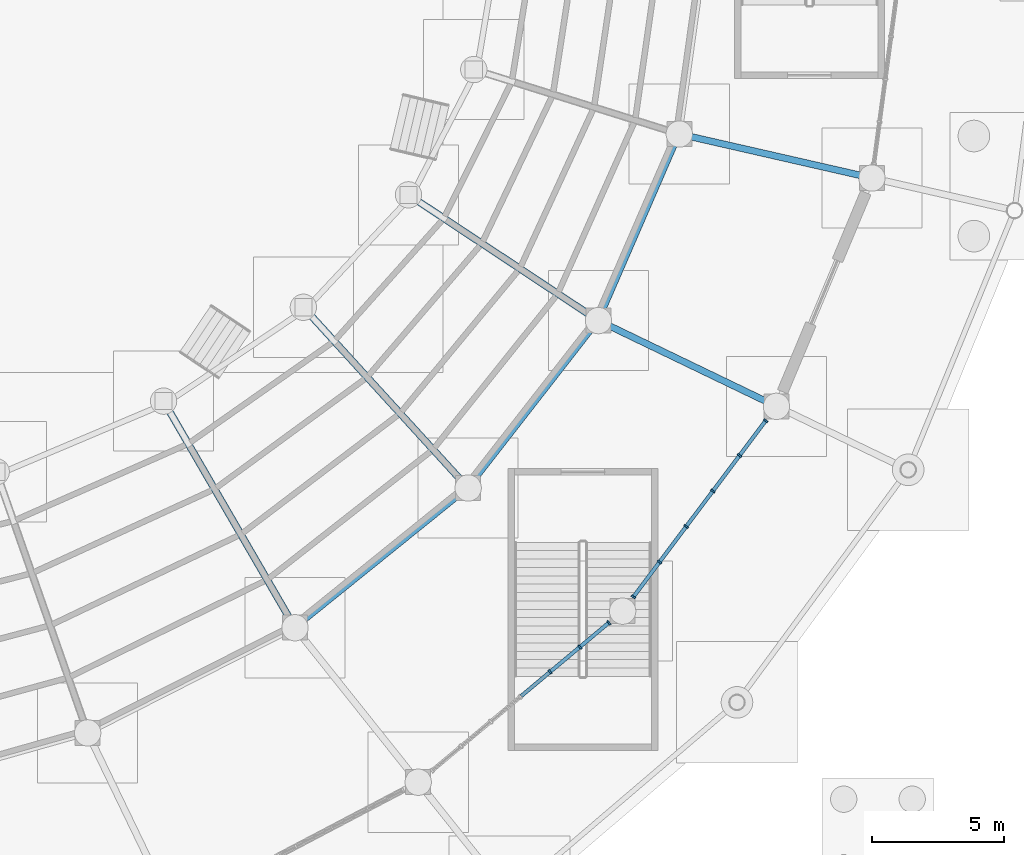
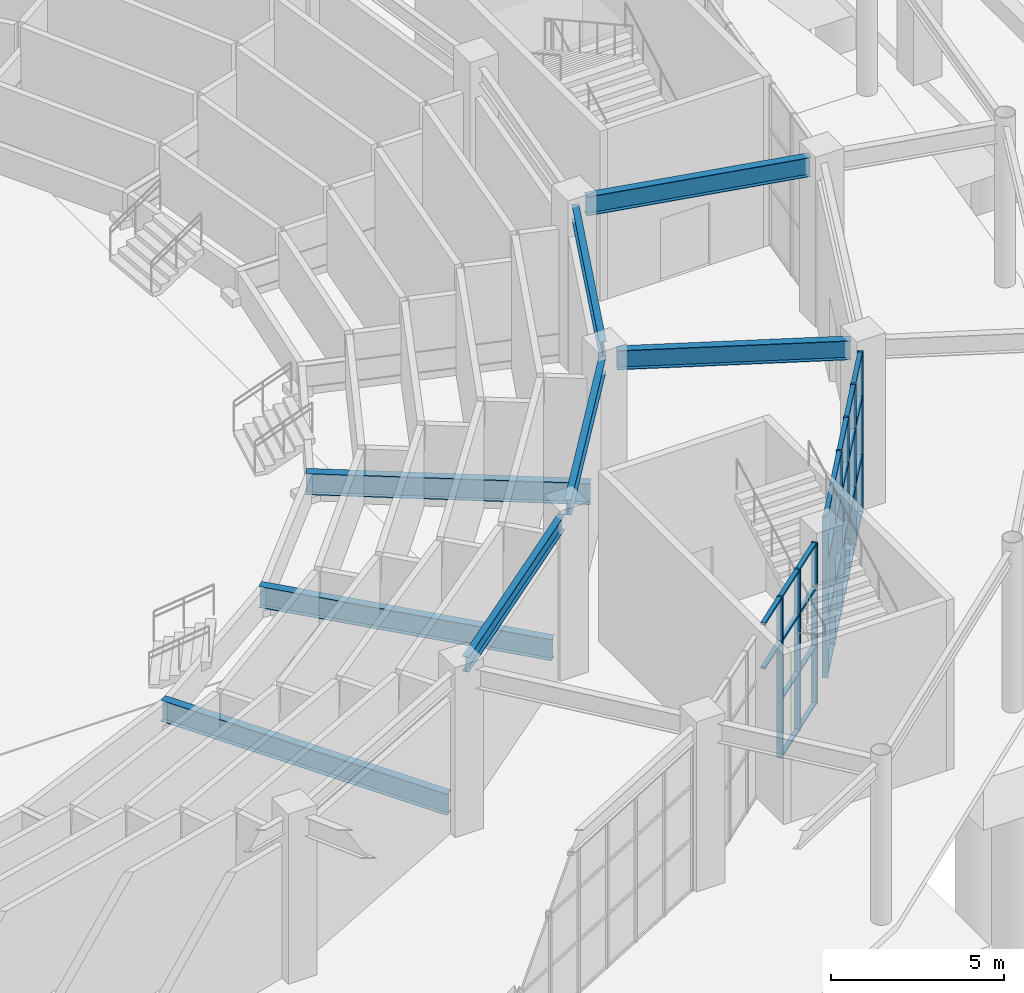
# One storey, part 36 of 121: 39 members, 8 beams, 2 elements without a shape of their own.
"""IFC4 building model written with IfcOpenShell, lengths in metres."""

from ifc_helpers import new_model, si_unit, direction, frame, origin, origin_2d, place, context, subcontext, project, spatial, rectangle, i_section, extrude, material, material_profile, profile_set, type_object, element, aggregate, save


model = new_model("IFC4")

# Units and contexts
model_context = context("Model", 3, precision=1e-05, world=origin(), true_north=direction((0.0, 1.0)))
body_context = subcontext(model_context, "Body", "Model", "MODEL_VIEW")
ifc_project = project(units=[si_unit("LENGTHUNIT", "METRE"), si_unit("AREAUNIT", "SQUARE_METRE"), si_unit("VOLUMEUNIT", "CUBIC_METRE"), si_unit("PLANEANGLEUNIT", "RADIAN"), si_unit("MASSUNIT", "GRAM", prefix="KILO")], contexts=[model_context])

# Site, building, storey
site_placement = place(None, origin())
site = spatial("IfcSite", under=ifc_project, at=site_placement, CompositionType="ELEMENT")
building_placement = place(site_placement, origin())
building = spatial("IfcBuilding", under=site, at=building_placement, Name="Cuetzalor Civic Arena", CompositionType="ELEMENT")
storey_placement = place(building_placement, origin())
storey = spatial("IfcBuildingStorey", under=building, at=storey_placement, Name="L00", CompositionType="ELEMENT", Elevation=0.0)

# Curtain wall, members
ifc_material_1 = material(Name="Anodised dark bronze aluminium and low-E solar glass", Category="aluminium")
curtain_wall_type_1 = type_object("IfcCurtainWallType", Name="UnitisedCW_8800x5700", PredefinedType="USERDEFINED", material=ifc_material_1)
curtain_wall_1_placement = place(storey_placement, origin())
curtain_wall_1 = element("IfcCurtainWall", 1, at=curtain_wall_1_placement, inside=storey, type_object=curtain_wall_type_1, Name="Drum Ground Recessed Concourse Curtain Wall L00-018", ObjectType="UNITISED CURTAIN WALL", PredefinedType="USERDEFINED")
ifc_material_2 = material(Name="Anodised dark bronze aluminium", Category="aluminium")
ifc_material_profile_1 = material_profile(ifc_material_2, rectangle(XDim=0.070068359375, YDim=0.179931640625, at=origin_2d()), Name="ALU MULLION 70x180")
ifc_profile_set_1 = profile_set([ifc_material_profile_1], Name="Anodised dark bronze aluminium")
member_type_1 = type_object("IfcMemberType", Name="CurtainWallMullion_65x180", PredefinedType="MULLION", material=ifc_profile_set_1)
member_1_placement = place(storey_placement, frame((37.783447265625, -26.00341796875, 0.0), z_axis=(0.0, 0.0, 1.0), x_axis=(-0.766928030459, -0.641733119059, 0.0)))
member_1 = element("IfcMember", 2, at=member_1_placement, type_object=member_type_1, Name="CW-03 mullion 1", PredefinedType="MULLION", context=body_context, shape_type="SweptSolid", body=[
    extrude(rectangle(XDim=0.070068359375, YDim=0.179931640625, at=origin_2d()), origin(), (0.0, 0.0, 1.0), 5.699951171875),
])
member_2_placement = place(storey_placement, frame((36.68359375, -26.923583984375, 0.0), z_axis=(0.0, 0.0, 1.0), x_axis=(-0.766928030459, -0.641733119059, 0.0)))
member_2 = element("IfcMember", 3, at=member_2_placement, type_object=member_type_1, Name="CW-03 mullion 2", PredefinedType="MULLION", context=body_context, shape_type="SweptSolid", body=[
    extrude(rectangle(XDim=0.070068359375, YDim=0.179931640625, at=origin_2d()), origin(), (0.0, 0.0, 1.0), 5.699951171875),
])
member_3_placement = place(storey_placement, frame((35.556884765625, -27.866455078125, 0.0), z_axis=(0.0, 0.0, 1.0), x_axis=(-0.766928030459, -0.641733119059, 0.0)))
member_3 = element("IfcMember", 4, at=member_3_placement, type_object=member_type_1, Name="CW-03 mullion 3", PredefinedType="MULLION", context=body_context, shape_type="SweptSolid", body=[
    extrude(rectangle(XDim=0.070068359375, YDim=0.179931640625, at=origin_2d()), origin(), (0.0, 0.0, 1.0), 5.699951171875),
])

ifc_material_3 = material(Name="Anodised dark bronze aluminium and low-E solar glass", Category="aluminium")
curtain_wall_type_2 = type_object("IfcCurtainWallType", Name="UnitisedCW_8450x5700", PredefinedType="USERDEFINED", material=ifc_material_3)
curtain_wall_2_placement = place(storey_placement, origin())
curtain_wall_2 = element("IfcCurtainWall", 5, at=curtain_wall_2_placement, inside=storey, type_object=curtain_wall_type_2, Name="Drum Ground Recessed Concourse Curtain Wall L00-019", ObjectType="UNITISED CURTAIN WALL", PredefinedType="USERDEFINED")
member_4_placement = place(storey_placement, frame((43.738037109375, -18.33447265625, 0.0), z_axis=(0.0, 0.0, 1.0), x_axis=(-0.600491594925, -0.799631067696, 0.0)))
member_4 = element("IfcMember", 6, at=member_4_placement, type_object=member_type_1, Name="CW-02 mullion 1", PredefinedType="MULLION", context=body_context, shape_type="SweptSolid", body=[
    extrude(rectangle(XDim=0.070068359375, YDim=0.179931640625, at=origin_2d()), origin(), (0.0, 0.0, 1.0), 5.699951171875),
])
member_5_placement = place(storey_placement, frame((42.746826171875, -19.654541015625, 0.0), z_axis=(0.0, 0.0, 1.0), x_axis=(-0.600491594925, -0.799631067696, 0.0)))
member_5 = element("IfcMember", 7, at=member_5_placement, type_object=member_type_1, Name="CW-02 mullion 2", PredefinedType="MULLION", context=body_context, shape_type="SweptSolid", body=[
    extrude(rectangle(XDim=0.070068359375, YDim=0.179931640625, at=origin_2d()), origin(), (0.0, 0.0, 1.0), 5.699951171875),
])
member_6_placement = place(storey_placement, frame((41.734619140625, -21.002197265625, 0.0), z_axis=(0.0, 0.0, 1.0), x_axis=(-0.600491594925, -0.799631067696, 0.0)))
member_6 = element("IfcMember", 8, at=member_6_placement, type_object=member_type_1, Name="CW-02 mullion 3", PredefinedType="MULLION", context=body_context, shape_type="SweptSolid", body=[
    extrude(rectangle(XDim=0.070068359375, YDim=0.179931640625, at=origin_2d()), origin(), (0.0, 0.0, 1.0), 5.699951171875),
])
member_7_placement = place(storey_placement, frame((40.722412109375, -22.35009765625, 0.0), z_axis=(0.0, 0.0, 1.0), x_axis=(-0.600491594925, -0.799631067696, 0.0)))
member_7 = element("IfcMember", 9, at=member_7_placement, type_object=member_type_1, Name="CW-02 mullion 4", PredefinedType="MULLION", context=body_context, shape_type="SweptSolid", body=[
    extrude(rectangle(XDim=0.070068359375, YDim=0.179931640625, at=origin_2d()), origin(), (0.0, 0.0, 1.0), 5.699951171875),
])
member_8_placement = place(storey_placement, frame((39.71044921875, -23.697998046875, 0.0), z_axis=(0.0, 0.0, 1.0), x_axis=(-0.600491594925, -0.799631067696, 0.0)))
member_8 = element("IfcMember", 10, at=member_8_placement, type_object=member_type_1, Name="CW-02 mullion 5", PredefinedType="MULLION", context=body_context, shape_type="SweptSolid", body=[
    extrude(rectangle(XDim=0.070068359375, YDim=0.179931640625, at=origin_2d()), origin(), (0.0, 0.0, 1.0), 5.699951171875),
])
member_9_placement = place(storey_placement, frame((38.71923828125, -25.017822265625, 0.0), z_axis=(0.0, 0.0, 1.0), x_axis=(-0.600491594925, -0.799631067696, 0.0)))
member_9 = element("IfcMember", 11, at=member_9_placement, type_object=member_type_1, Name="CW-02 mullion 6", PredefinedType="MULLION", context=body_context, shape_type="SweptSolid", body=[
    extrude(rectangle(XDim=0.070068359375, YDim=0.179931640625, at=origin_2d()), origin(), (0.0, 0.0, 1.0), 5.699951171875),
])

# Member
ifc_material_4 = material(Name="Anodised dark bronze aluminium", Category="aluminium")
ifc_material_profile_2 = material_profile(ifc_material_4, rectangle(XDim=0.139892578125, YDim=0.070068359375, at=origin_2d()), Name="ALU TRANSOM 70x140")
ifc_profile_set_2 = profile_set([ifc_material_profile_2], Name="Anodised dark bronze aluminium")
member_type_2 = type_object("IfcMemberType", Name="CurtainWallTransom_65x140", PredefinedType="USERDEFINED", material=ifc_profile_set_2)
member_10_placement = place(storey_placement, frame((37.756591796875, -26.02587890625, 0.034912109375), z_axis=(-0.766972759582, -0.641679660001, 0.0), x_axis=(0.641679660001, -0.766972759582, 0.0)))
member_10 = element("IfcMember", 12, at=member_10_placement, type_object=member_type_2, Name="CW-03 transom 1.1", ObjectType="TRANSOM", PredefinedType="USERDEFINED", context=body_context, shape_type="SweptSolid", body=[
    extrude(rectangle(XDim=0.139892578125, YDim=0.070068359375, at=origin_2d()), origin(), (0.0, 0.0, 1.0), 1.364013671875),
])

member_11_placement = place(storey_placement, frame((37.756591796875, -26.02587890625, 2.052001953125), z_axis=(-0.766972759582, -0.641679660001, 0.0), x_axis=(0.641679660001, -0.766972759582, 0.0)))
member_11 = element("IfcMember", 13, at=member_11_placement, type_object=member_type_2, Name="CW-03 transom 1.2", ObjectType="TRANSOM", PredefinedType="USERDEFINED", context=body_context, shape_type="SweptSolid", body=[
    extrude(rectangle(XDim=0.139892578125, YDim=0.070068359375, at=origin_2d()), origin(), (0.0, 0.0, 1.0), 1.364013671875),
])

member_12_placement = place(storey_placement, frame((37.756591796875, -26.02587890625, 4.10400390625), z_axis=(-0.766972759582, -0.641679660001, 0.0), x_axis=(0.641679660001, -0.766972759582, 0.0)))
member_12 = element("IfcMember", 14, at=member_12_placement, type_object=member_type_2, Name="CW-03 transom 1.3", ObjectType="TRANSOM", PredefinedType="USERDEFINED", context=body_context, shape_type="SweptSolid", body=[
    extrude(rectangle(XDim=0.139892578125, YDim=0.070068359375, at=origin_2d()), origin(), (0.0, 0.0, 1.0), 1.364013671875),
])

member_13_placement = place(storey_placement, frame((37.756591796875, -26.02587890625, 5.6650390625), z_axis=(-0.766972759582, -0.641679660001, 0.0), x_axis=(0.641679660001, -0.766972759582, 0.0)))
member_13 = element("IfcMember", 15, at=member_13_placement, type_object=member_type_2, Name="CW-03 transom 1.4", ObjectType="TRANSOM", PredefinedType="USERDEFINED", context=body_context, shape_type="SweptSolid", body=[
    extrude(rectangle(XDim=0.139892578125, YDim=0.070068359375, at=origin_2d()), origin(), (0.0, 0.0, 1.0), 1.364013671875),
])

member_14_placement = place(storey_placement, frame((36.65673828125, -26.946044921875, 0.034912109375), z_axis=(-0.766889482405, -0.641779184593, 0.0), x_axis=(0.641779184593, -0.766889482405, 0.0)))
member_14 = element("IfcMember", 16, at=member_14_placement, type_object=member_type_2, Name="CW-03 transom 2.1", ObjectType="TRANSOM", PredefinedType="USERDEFINED", context=body_context, shape_type="SweptSolid", body=[
    extrude(rectangle(XDim=0.139892578125, YDim=0.070068359375, at=origin_2d()), origin(), (0.0, 0.0, 1.0), 1.399169921875),
])

member_15_placement = place(storey_placement, frame((36.65673828125, -26.946044921875, 2.052001953125), z_axis=(-0.766889482405, -0.641779184593, 0.0), x_axis=(0.641779184593, -0.766889482405, 0.0)))
member_15 = element("IfcMember", 17, at=member_15_placement, type_object=member_type_2, Name="CW-03 transom 2.2", ObjectType="TRANSOM", PredefinedType="USERDEFINED", context=body_context, shape_type="SweptSolid", body=[
    extrude(rectangle(XDim=0.139892578125, YDim=0.070068359375, at=origin_2d()), origin(), (0.0, 0.0, 1.0), 1.399169921875),
])

member_16_placement = place(storey_placement, frame((36.65673828125, -26.946044921875, 4.10400390625), z_axis=(-0.766889482405, -0.641779184593, 0.0), x_axis=(0.641779184593, -0.766889482405, 0.0)))
member_16 = element("IfcMember", 18, at=member_16_placement, type_object=member_type_2, Name="CW-03 transom 2.3", ObjectType="TRANSOM", PredefinedType="USERDEFINED", context=body_context, shape_type="SweptSolid", body=[
    extrude(rectangle(XDim=0.139892578125, YDim=0.070068359375, at=origin_2d()), origin(), (0.0, 0.0, 1.0), 1.399169921875),
])

member_17_placement = place(storey_placement, frame((36.65673828125, -26.946044921875, 5.6650390625), z_axis=(-0.766889482405, -0.641779184593, 0.0), x_axis=(0.641779184593, -0.766889482405, 0.0)))
member_17 = element("IfcMember", 19, at=member_17_placement, type_object=member_type_2, Name="CW-03 transom 2.4", ObjectType="TRANSOM", PredefinedType="USERDEFINED", context=body_context, shape_type="SweptSolid", body=[
    extrude(rectangle(XDim=0.139892578125, YDim=0.070068359375, at=origin_2d()), origin(), (0.0, 0.0, 1.0), 1.399169921875),
])

member_18_placement = place(storey_placement, frame((35.5302734375, -27.888916015625, 4.10400390625), z_axis=(-0.766975365209, -0.641676545591, 0.0), x_axis=(0.641676545591, -0.766975365209, 0.0)))
member_18 = element("IfcMember", 20, at=member_18_placement, type_object=member_type_2, Name="CW-03 transom 3.3", ObjectType="TRANSOM", PredefinedType="USERDEFINED", context=body_context, shape_type="SweptSolid", body=[
    extrude(rectangle(XDim=0.139892578125, YDim=0.070068359375, at=origin_2d()), origin(), (0.0, 0.0, 1.0), 1.39892578125),
])

member_19_placement = place(storey_placement, frame((35.5302734375, -27.888916015625, 5.6650390625), z_axis=(-0.766975365209, -0.641676545591, 0.0), x_axis=(0.641676545591, -0.766975365209, 0.0)))
member_19 = element("IfcMember", 21, at=member_19_placement, type_object=member_type_2, Name="CW-03 transom 3.4", ObjectType="TRANSOM", PredefinedType="USERDEFINED", context=body_context, shape_type="SweptSolid", body=[
    extrude(rectangle(XDim=0.139892578125, YDim=0.070068359375, at=origin_2d()), origin(), (0.0, 0.0, 1.0), 1.39892578125),
])

aggregate(curtain_wall_1, [member_1, member_2, member_3, member_10, member_11, member_12, member_13, member_14, member_15, member_16, member_17, member_18, member_19])

member_20_placement = place(storey_placement, frame((43.717041015625, -18.362548828125, 0.034912109375), z_axis=(-0.600518840652, -0.799610606496, 0.0), x_axis=(0.799610606496, -0.600518840652, 0.0)))
member_20 = element("IfcMember", 22, at=member_20_placement, type_object=member_type_2, Name="CW-02 transom 1.1", ObjectType="TRANSOM", PredefinedType="USERDEFINED", context=body_context, shape_type="SweptSolid", body=[
    extrude(rectangle(XDim=0.139892578125, YDim=0.070068359375, at=origin_2d()), origin(), (0.0, 0.0, 1.0), 1.58056640625),
])

member_21_placement = place(storey_placement, frame((43.717041015625, -18.362548828125, 2.052001953125), z_axis=(-0.600518840652, -0.799610606496, 0.0), x_axis=(0.799610606496, -0.600518840652, 0.0)))
member_21 = element("IfcMember", 23, at=member_21_placement, type_object=member_type_2, Name="CW-02 transom 1.2", ObjectType="TRANSOM", PredefinedType="USERDEFINED", context=body_context, shape_type="SweptSolid", body=[
    extrude(rectangle(XDim=0.139892578125, YDim=0.070068359375, at=origin_2d()), origin(), (0.0, 0.0, 1.0), 1.58056640625),
])

member_22_placement = place(storey_placement, frame((43.717041015625, -18.362548828125, 4.10400390625), z_axis=(-0.600518840652, -0.799610606496, 0.0), x_axis=(0.799610606496, -0.600518840652, 0.0)))
member_22 = element("IfcMember", 24, at=member_22_placement, type_object=member_type_2, Name="CW-02 transom 1.3", ObjectType="TRANSOM", PredefinedType="USERDEFINED", context=body_context, shape_type="SweptSolid", body=[
    extrude(rectangle(XDim=0.139892578125, YDim=0.070068359375, at=origin_2d()), origin(), (0.0, 0.0, 1.0), 1.58056640625),
])

member_23_placement = place(storey_placement, frame((43.717041015625, -18.362548828125, 5.6650390625), z_axis=(-0.600518840652, -0.799610606496, 0.0), x_axis=(0.799610606496, -0.600518840652, 0.0)))
member_23 = element("IfcMember", 25, at=member_23_placement, type_object=member_type_2, Name="CW-02 transom 1.4", ObjectType="TRANSOM", PredefinedType="USERDEFINED", context=body_context, shape_type="SweptSolid", body=[
    extrude(rectangle(XDim=0.139892578125, YDim=0.070068359375, at=origin_2d()), origin(), (0.0, 0.0, 1.0), 1.58056640625),
])

member_24_placement = place(storey_placement, frame((42.725830078125, -19.682373046875, 0.034912109375), z_axis=(-0.600483420085, -0.799637206615, 0.0), x_axis=(0.799637206615, -0.600483420085, 0.0)))
member_24 = element("IfcMember", 26, at=member_24_placement, type_object=member_type_2, Name="CW-02 transom 2.1", ObjectType="TRANSOM", PredefinedType="USERDEFINED", context=body_context, shape_type="SweptSolid", body=[
    extrude(rectangle(XDim=0.139892578125, YDim=0.070068359375, at=origin_2d()), origin(), (0.0, 0.0, 1.0), 1.61572265625),
])

member_25_placement = place(storey_placement, frame((42.725830078125, -19.682373046875, 2.052001953125), z_axis=(-0.600483420085, -0.799637206615, 0.0), x_axis=(0.799637206615, -0.600483420085, 0.0)))
member_25 = element("IfcMember", 27, at=member_25_placement, type_object=member_type_2, Name="CW-02 transom 2.2", ObjectType="TRANSOM", PredefinedType="USERDEFINED", context=body_context, shape_type="SweptSolid", body=[
    extrude(rectangle(XDim=0.139892578125, YDim=0.070068359375, at=origin_2d()), origin(), (0.0, 0.0, 1.0), 1.61572265625),
])

member_26_placement = place(storey_placement, frame((42.725830078125, -19.682373046875, 4.10400390625), z_axis=(-0.600483420085, -0.799637206615, 0.0), x_axis=(0.799637206615, -0.600483420085, 0.0)))
member_26 = element("IfcMember", 28, at=member_26_placement, type_object=member_type_2, Name="CW-02 transom 2.3", ObjectType="TRANSOM", PredefinedType="USERDEFINED", context=body_context, shape_type="SweptSolid", body=[
    extrude(rectangle(XDim=0.139892578125, YDim=0.070068359375, at=origin_2d()), origin(), (0.0, 0.0, 1.0), 1.61572265625),
])

member_27_placement = place(storey_placement, frame((42.725830078125, -19.682373046875, 5.6650390625), z_axis=(-0.600483420085, -0.799637206615, 0.0), x_axis=(0.799637206615, -0.600483420085, 0.0)))
member_27 = element("IfcMember", 29, at=member_27_placement, type_object=member_type_2, Name="CW-02 transom 2.4", ObjectType="TRANSOM", PredefinedType="USERDEFINED", context=body_context, shape_type="SweptSolid", body=[
    extrude(rectangle(XDim=0.139892578125, YDim=0.070068359375, at=origin_2d()), origin(), (0.0, 0.0, 1.0), 1.61572265625),
])

member_28_placement = place(storey_placement, frame((41.713623046875, -21.0302734375, 0.034912109375), z_axis=(-0.600459351447, -0.799655280268, 0.0), x_axis=(0.799655280268, -0.600459351447, 0.0)))
member_28 = element("IfcMember", 30, at=member_28_placement, type_object=member_type_2, Name="CW-02 transom 3.1", ObjectType="TRANSOM", PredefinedType="USERDEFINED", context=body_context, shape_type="SweptSolid", body=[
    extrude(rectangle(XDim=0.139892578125, YDim=0.070068359375, at=origin_2d()), origin(), (0.0, 0.0, 1.0), 1.615478515625),
])

member_29_placement = place(storey_placement, frame((41.713623046875, -21.0302734375, 2.052001953125), z_axis=(-0.600459351447, -0.799655280268, 0.0), x_axis=(0.799655280268, -0.600459351447, 0.0)))
member_29 = element("IfcMember", 31, at=member_29_placement, type_object=member_type_2, Name="CW-02 transom 3.2", ObjectType="TRANSOM", PredefinedType="USERDEFINED", context=body_context, shape_type="SweptSolid", body=[
    extrude(rectangle(XDim=0.139892578125, YDim=0.070068359375, at=origin_2d()), origin(), (0.0, 0.0, 1.0), 1.615478515625),
])

member_30_placement = place(storey_placement, frame((41.713623046875, -21.0302734375, 4.10400390625), z_axis=(-0.600459351447, -0.799655280268, 0.0), x_axis=(0.799655280268, -0.600459351447, 0.0)))
member_30 = element("IfcMember", 32, at=member_30_placement, type_object=member_type_2, Name="CW-02 transom 3.3", ObjectType="TRANSOM", PredefinedType="USERDEFINED", context=body_context, shape_type="SweptSolid", body=[
    extrude(rectangle(XDim=0.139892578125, YDim=0.070068359375, at=origin_2d()), origin(), (0.0, 0.0, 1.0), 1.615478515625),
])

member_31_placement = place(storey_placement, frame((41.713623046875, -21.0302734375, 5.6650390625), z_axis=(-0.600459351447, -0.799655280268, 0.0), x_axis=(0.799655280268, -0.600459351447, 0.0)))
member_31 = element("IfcMember", 33, at=member_31_placement, type_object=member_type_2, Name="CW-02 transom 3.4", ObjectType="TRANSOM", PredefinedType="USERDEFINED", context=body_context, shape_type="SweptSolid", body=[
    extrude(rectangle(XDim=0.139892578125, YDim=0.070068359375, at=origin_2d()), origin(), (0.0, 0.0, 1.0), 1.615478515625),
])

member_32_placement = place(storey_placement, frame((40.701416015625, -22.3779296875, 0.034912109375), z_axis=(-0.600386788689, -0.799709762331, 0.0), x_axis=(0.799709762331, -0.600386788689, 0.0)))
member_32 = element("IfcMember", 34, at=member_32_placement, type_object=member_type_2, Name="CW-02 transom 4.1", ObjectType="TRANSOM", PredefinedType="USERDEFINED", context=body_context, shape_type="SweptSolid", body=[
    extrude(rectangle(XDim=0.139892578125, YDim=0.070068359375, at=origin_2d()), origin(), (0.0, 0.0, 1.0), 1.615478515625),
])

member_33_placement = place(storey_placement, frame((40.701416015625, -22.3779296875, 2.052001953125), z_axis=(-0.600386788689, -0.799709762331, 0.0), x_axis=(0.799709762331, -0.600386788689, 0.0)))
member_33 = element("IfcMember", 35, at=member_33_placement, type_object=member_type_2, Name="CW-02 transom 4.2", ObjectType="TRANSOM", PredefinedType="USERDEFINED", context=body_context, shape_type="SweptSolid", body=[
    extrude(rectangle(XDim=0.139892578125, YDim=0.070068359375, at=origin_2d()), origin(), (0.0, 0.0, 1.0), 1.615478515625),
])

member_34_placement = place(storey_placement, frame((40.701416015625, -22.3779296875, 4.10400390625), z_axis=(-0.600386788689, -0.799709762331, 0.0), x_axis=(0.799709762331, -0.600386788689, 0.0)))
member_34 = element("IfcMember", 36, at=member_34_placement, type_object=member_type_2, Name="CW-02 transom 4.3", ObjectType="TRANSOM", PredefinedType="USERDEFINED", context=body_context, shape_type="SweptSolid", body=[
    extrude(rectangle(XDim=0.139892578125, YDim=0.070068359375, at=origin_2d()), origin(), (0.0, 0.0, 1.0), 1.615478515625),
])

member_35_placement = place(storey_placement, frame((40.701416015625, -22.3779296875, 5.6650390625), z_axis=(-0.600386788689, -0.799709762331, 0.0), x_axis=(0.799709762331, -0.600386788689, 0.0)))
member_35 = element("IfcMember", 37, at=member_35_placement, type_object=member_type_2, Name="CW-02 transom 4.4", ObjectType="TRANSOM", PredefinedType="USERDEFINED", context=body_context, shape_type="SweptSolid", body=[
    extrude(rectangle(XDim=0.139892578125, YDim=0.070068359375, at=origin_2d()), origin(), (0.0, 0.0, 1.0), 1.615478515625),
])

member_36_placement = place(storey_placement, frame((39.689453125, -23.725830078125, 0.034912109375), z_axis=(-0.600518840652, -0.799610606496, 0.0), x_axis=(0.799610606496, -0.600518840652, 0.0)))
member_36 = element("IfcMember", 38, at=member_36_placement, type_object=member_type_2, Name="CW-02 transom 5.1", ObjectType="TRANSOM", PredefinedType="USERDEFINED", context=body_context, shape_type="SweptSolid", body=[
    extrude(rectangle(XDim=0.139892578125, YDim=0.070068359375, at=origin_2d()), origin(), (0.0, 0.0, 1.0), 1.58056640625),
])

member_37_placement = place(storey_placement, frame((39.689453125, -23.725830078125, 2.052001953125), z_axis=(-0.600518840652, -0.799610606496, 0.0), x_axis=(0.799610606496, -0.600518840652, 0.0)))
member_37 = element("IfcMember", 39, at=member_37_placement, type_object=member_type_2, Name="CW-02 transom 5.2", ObjectType="TRANSOM", PredefinedType="USERDEFINED", context=body_context, shape_type="SweptSolid", body=[
    extrude(rectangle(XDim=0.139892578125, YDim=0.070068359375, at=origin_2d()), origin(), (0.0, 0.0, 1.0), 1.58056640625),
])

member_38_placement = place(storey_placement, frame((39.689453125, -23.725830078125, 4.10400390625), z_axis=(-0.600518840652, -0.799610606496, 0.0), x_axis=(0.799610606496, -0.600518840652, 0.0)))
member_38 = element("IfcMember", 40, at=member_38_placement, type_object=member_type_2, Name="CW-02 transom 5.3", ObjectType="TRANSOM", PredefinedType="USERDEFINED", context=body_context, shape_type="SweptSolid", body=[
    extrude(rectangle(XDim=0.139892578125, YDim=0.070068359375, at=origin_2d()), origin(), (0.0, 0.0, 1.0), 1.58056640625),
])

member_39_placement = place(storey_placement, frame((39.689453125, -23.725830078125, 5.6650390625), z_axis=(-0.600518840652, -0.799610606496, 0.0), x_axis=(0.799610606496, -0.600518840652, 0.0)))
member_39 = element("IfcMember", 41, at=member_39_placement, type_object=member_type_2, Name="CW-02 transom 5.4", ObjectType="TRANSOM", PredefinedType="USERDEFINED", context=body_context, shape_type="SweptSolid", body=[
    extrude(rectangle(XDim=0.139892578125, YDim=0.070068359375, at=origin_2d()), origin(), (0.0, 0.0, 1.0), 1.58056640625),
])

aggregate(curtain_wall_2, [member_4, member_5, member_6, member_7, member_8, member_9, member_20, member_21, member_22, member_23, member_24, member_25, member_26, member_27, member_28, member_29, member_30, member_31, member_32, member_33, member_34, member_35, member_36, member_37, member_38, member_39])

# Beams
ifc_material_5 = material(Name="Steel S355", Category="steel")
ifc_material_profile_3 = material_profile(ifc_material_5, i_section(OverallWidth=0.264892578125, OverallDepth=0.7529296875, WebThickness=0.01318359375, FlangeThickness=0.01708984375, at=origin_2d()), Name="W760x147")
ifc_profile_set_3 = profile_set([ifc_material_profile_3], Name="Steel S355")
beam_type_1 = type_object("IfcBeamType", Name="LowerBowlRakerBeam_W760", PredefinedType="USERDEFINED", material=ifc_profile_set_3)
beam_1_placement = place(storey_placement, frame((20.886962890625, -17.59130859375, 0.6435546875), z_axis=(0.501694731914, -0.865044736398, 0.0), x_axis=(0.865044736398, 0.501694731914, 0.0)))
element("IfcBeam", 42, at=beam_1_placement, inside=storey, type_object=beam_type_1, Name="Lower Bowl Raker Beam R25", ObjectType="RAKER", PredefinedType="USERDEFINED", context=body_context, shape_type="SweptSolid", body=[
    extrude(i_section(OverallWidth=0.264892578125, OverallDepth=0.7529296875, WebThickness=0.01318359375, FlangeThickness=0.01708984375, at=origin_2d()), origin(), (0.0, 0.0, 1.0), 9.5419921875),
])
beam_2_placement = place(storey_placement, frame((26.19140625, -14.028564453125, 0.6435546875), z_axis=(0.673841701985, -0.738875741018, 0.0), x_axis=(0.738875741018, 0.673841701985, 0.0)))
element("IfcBeam", 43, at=beam_2_placement, inside=storey, type_object=beam_type_1, Name="Lower Bowl Raker Beam R26", ObjectType="RAKER", PredefinedType="USERDEFINED", context=body_context, shape_type="SweptSolid", body=[
    extrude(i_section(OverallWidth=0.264892578125, OverallDepth=0.7529296875, WebThickness=0.01318359375, FlangeThickness=0.01708984375, at=origin_2d()), origin(), (0.0, 0.0, 1.0), 8.882080078125),
])
beam_3_placement = place(storey_placement, frame((30.1826171875, -9.762451171875, 0.6435546875), z_axis=(0.833777450738, -0.552100681615, 0.0), x_axis=(0.552100681615, 0.833777450738, 0.0)))
element("IfcBeam", 44, at=beam_3_placement, inside=storey, type_object=beam_type_1, Name="Lower Bowl Raker Beam R27", ObjectType="RAKER", PredefinedType="USERDEFINED", context=body_context, shape_type="SweptSolid", body=[
    extrude(i_section(OverallWidth=0.264892578125, OverallDepth=0.7529296875, WebThickness=0.01318359375, FlangeThickness=0.01708984375, at=origin_2d()), origin(), (0.0, 0.0, 1.0), 8.244384765625),
])
ifc_material_6 = material(Name="Steel S355", Category="steel")
ifc_material_profile_4 = material_profile(ifc_material_6, i_section(OverallWidth=0.208984375, OverallDepth=0.532958984375, WebThickness=0.01025390625, FlangeThickness=0.015625, at=origin_2d()), Name="W530x92")
ifc_profile_set_4 = profile_set([ifc_material_profile_4], Name="Steel S355")
beam_type_2 = type_object("IfcBeamType", Name="SteelCollarGirder_W530", PredefinedType="BEAM", material=ifc_profile_set_4)
beam_4_placement = place(storey_placement, frame((26.15478515625, -25.96533203125, 5.43359375), z_axis=(0.77812651983, 0.628107569719, 0.0), x_axis=(-0.628107569719, 0.77812651983, 0.0)))
element("IfcBeam", 45, at=beam_4_placement, inside=storey, type_object=beam_type_2, Name="Bowl Inner Ring Girder L00-S25", PredefinedType="BEAM", context=body_context, shape_type="SweptSolid", body=[
    extrude(i_section(OverallWidth=0.208984375, OverallDepth=0.532958984375, WebThickness=0.01025390625, FlangeThickness=0.015625, at=origin_2d()), origin(), (0.0, 0.0, 1.0), 7.725341796875),
])
beam_5_placement = place(storey_placement, frame((32.6669921875, -20.602783203125, 5.43359375), z_axis=(0.614261103096, 0.789102843249, 0.0), x_axis=(-0.789102843249, 0.614261103096, 0.0)))
element("IfcBeam", 46, at=beam_5_placement, inside=storey, type_object=beam_type_2, Name="Bowl Inner Ring Girder L00-S26", PredefinedType="BEAM", context=body_context, shape_type="SweptSolid", body=[
    extrude(i_section(OverallWidth=0.208984375, OverallDepth=0.532958984375, WebThickness=0.01025390625, FlangeThickness=0.015625, at=origin_2d()), origin(), (0.0, 0.0, 1.0), 7.329345703125),
])
beam_6_placement = place(storey_placement, frame((37.533447265625, -14.204833984375, 5.43359375), z_axis=(0.39772689401, 0.917503851644, 0.0), x_axis=(-0.917503851644, 0.39772689401, 0.0)))
element("IfcBeam", 47, at=beam_6_placement, inside=storey, type_object=beam_type_2, Name="Bowl Inner Ring Girder L00-S27", PredefinedType="BEAM", context=body_context, shape_type="SweptSolid", body=[
    extrude(i_section(OverallWidth=0.208984375, OverallDepth=0.532958984375, WebThickness=0.01025390625, FlangeThickness=0.015625, at=origin_2d()), origin(), (0.0, 0.0, 1.0), 6.9970703125),
])
ifc_material_7 = material(Name="Steel S355", Category="steel")
ifc_material_profile_5 = material_profile(ifc_material_7, i_section(OverallWidth=0.2529296875, OverallDepth=0.677978515625, WebThickness=0.01171875, FlangeThickness=0.016357421875, at=origin_2d()), Name="W690x125")
ifc_profile_set_5 = profile_set([ifc_material_profile_5], Name="Steel S355")
beam_type_3 = type_object("IfcBeamType", Name="SteelPrimaryGirder_W690", PredefinedType="BEAM", material=ifc_profile_set_5)
beam_7_placement = place(storey_placement, frame((37.714599609375, -14.69140625, 5.361083984375), z_axis=(0.900975603874, -0.433869751452, 0.0), x_axis=(0.433869751452, 0.900975603874, 0.0)))
element("IfcBeam", 48, at=beam_7_placement, inside=storey, type_object=beam_type_3, Name="Drum Inner Radial Girder L00-R27", PredefinedType="BEAM", context=body_context, shape_type="SweptSolid", body=[
    extrude(i_section(OverallWidth=0.2529296875, OverallDepth=0.677978515625, WebThickness=0.01171875, FlangeThickness=0.016357421875, at=origin_2d()), origin(), (0.0, 0.0, 1.0), 6.780029296875),
])
beam_8_placement = place(storey_placement, frame((40.810546875, -7.53466796875, 5.361083984375), z_axis=(0.974931535482, -0.222505058645, 0.0), x_axis=(0.222505058645, 0.974931535482, 0.0)))
element("IfcBeam", 49, at=beam_8_placement, inside=storey, type_object=beam_type_3, Name="Drum Inner Radial Girder L00-R28", PredefinedType="BEAM", context=body_context, shape_type="SweptSolid", body=[
    extrude(i_section(OverallWidth=0.2529296875, OverallDepth=0.677978515625, WebThickness=0.01171875, FlangeThickness=0.016357421875, at=origin_2d()), origin(), (0.0, 0.0, 1.0), 6.77978515625),
])

save(model, "model.ifc")
